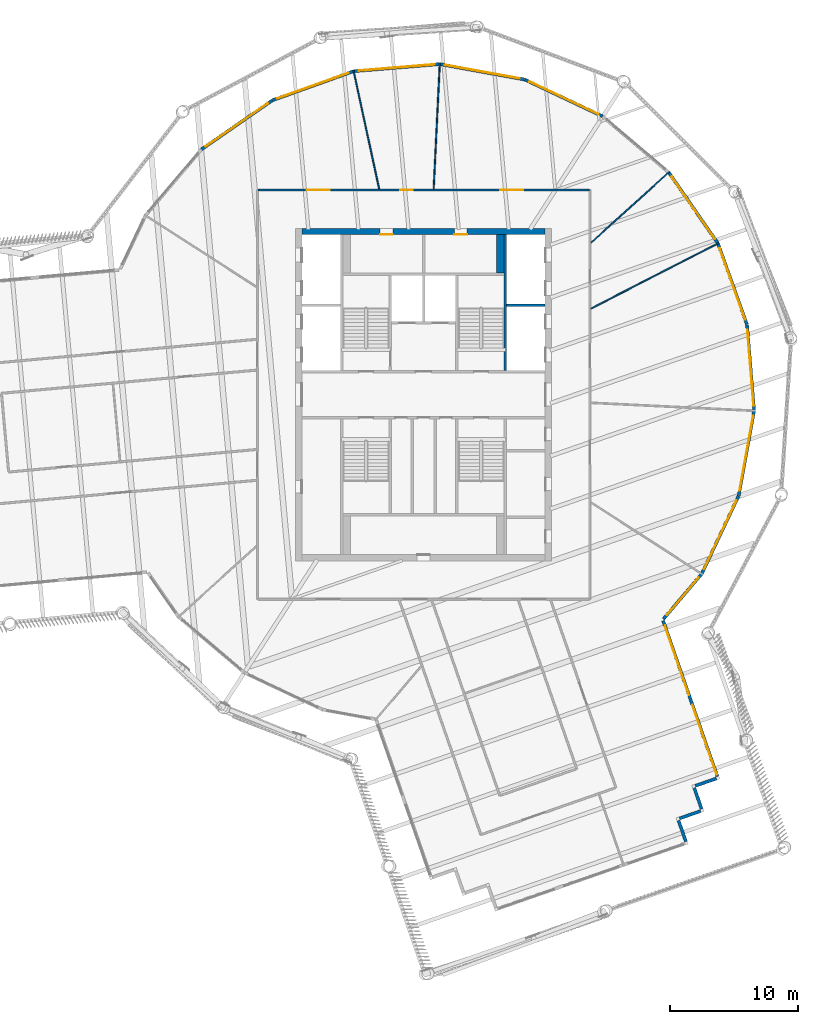
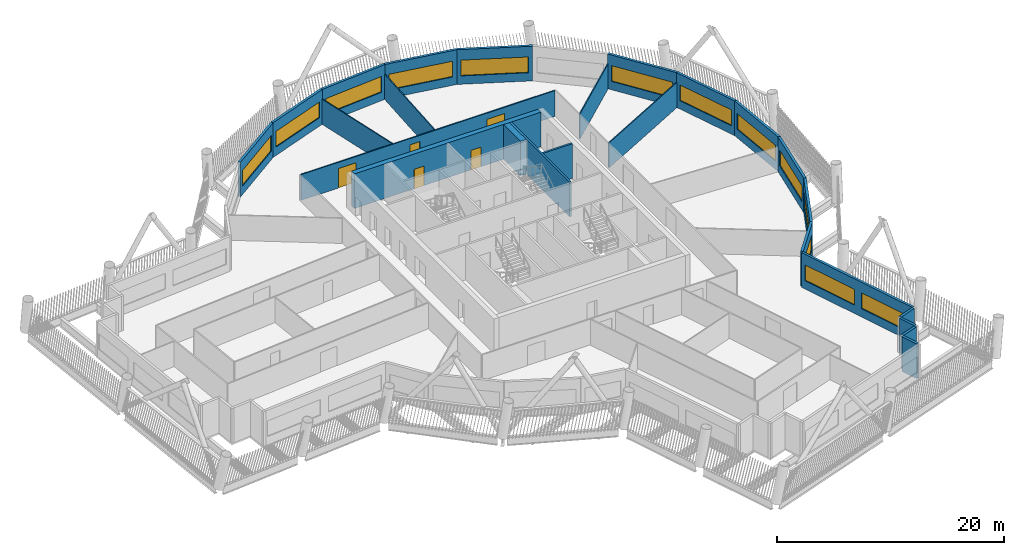
# One storey, part 6 of 23: 25 walls, 13 windows, 5 doors, 18 openings.
"""IFC4 building model written with IfcOpenShell, lengths in metres."""

from ifc_helpers import new_model, si_unit, direction, frame, frame_2d, origin, place, context, subcontext, project, spatial, rectangle, extrude, material, layer, layer_set, type_object, element, fill, save


model = new_model("IFC4")

# Units and contexts
model_context = context("Model", 3, precision=1e-05, world=origin(), true_north=direction((0.0, 1.0)))
body_context = subcontext(model_context, "Body", "Model", "MODEL_VIEW")
ifc_project = project(units=[si_unit("LENGTHUNIT", "METRE"), si_unit("AREAUNIT", "SQUARE_METRE"), si_unit("VOLUMEUNIT", "CUBIC_METRE"), si_unit("PLANEANGLEUNIT", "RADIAN"), si_unit("MASSUNIT", "GRAM", prefix="KILO")], contexts=[model_context])

# Site, building, storey
site_placement = place(None, origin())
site = spatial("IfcSite", under=ifc_project, at=site_placement, CompositionType="ELEMENT")
building_placement = place(site_placement, origin())
building = spatial("IfcBuilding", under=site, at=building_placement, Name="Tarsis Ring Headquarters", CompositionType="ELEMENT")
storey_placement = place(building_placement, frame((0.0, 0.0, 308.0)))
storey = spatial("IfcBuildingStorey", under=building, at=storey_placement, Name="L72", CompositionType="ELEMENT", Elevation=308.0)

# Wall, openings, doors
ifc_material_1 = material(Name="Concrete C50/60", Category="concrete")
ifc_layer_1 = layer(ifc_material_1, 0.5)
ifc_layer_set_1 = layer_set([ifc_layer_1], Name="Core wall 500 C50/60")
wall_type_1 = type_object("IfcWallType", Name="Core wall 500 C50/60", PredefinedType="SHEAR", material=ifc_layer_set_1)
wall_1_placement = place(storey_placement, frame((-9.5, 12.75, 0.0), z_axis=(0.0, 0.0, 1.0), x_axis=(1.0, 0.0, 0.0)))
wall_1 = element("IfcWall", 1, at=wall_1_placement, inside=storey, type_object=wall_type_1, Name="Core wall ON", PredefinedType="SHEAR", context=body_context, shape_type="SweptSolid", body=[
    extrude(rectangle(XDim=19.0, YDim=0.5, at=frame_2d((9.5, 0.0))), origin(), (0.0, 0.0, 1.0), 3.739990234375),
])
opening_1_placement = place(wall_1_placement, frame((6.10009765625, 0.0, 0.0)))
opening_1 = element("IfcOpeningElement", 2, at=opening_1_placement, cuts=wall_1, Name="Opening L72-C15", PredefinedType="OPENING", context=body_context, shape_type="SweptSolid", body=[
    extrude(rectangle(XDim=1.0, YDim=2.10009765625, at=frame_2d((0.5, 1.050048828125))), frame((0.0, 0.260009765625, 0.0), z_axis=(0.0, -1.0, 0.0), x_axis=(1.0, 0.0, 0.0)), (0.0, 0.0, 1.0), 0.52001953125),
])
opening_2_placement = place(wall_1_placement, frame((11.89990234375, 0.0, 0.0)))
opening_2 = element("IfcOpeningElement", 3, at=opening_2_placement, cuts=wall_1, Name="Opening L72-C16", PredefinedType="OPENING", context=body_context, shape_type="SweptSolid", body=[
    extrude(rectangle(XDim=1.0, YDim=2.10009765625, at=frame_2d((0.5, 1.050048828125))), frame((0.0, 0.260009765625, 0.0), z_axis=(0.0, -1.0, 0.0), x_axis=(1.0, 0.0, 0.0)), (0.0, 0.0, 1.0), 0.52001953125),
])
ifc_material_2 = material(Name="Steel S355", Category="steel")
door_type_1 = type_object("IfcDoorType", Name="Core room door 1000x2100", OperationType="SINGLE_SWING_LEFT", PredefinedType="DOOR", material=ifc_material_2)
door_1_placement = place(opening_1_placement, origin())
door_1 = element("IfcDoor", 4, at=door_1_placement, inside=storey, type_object=door_type_1, Name="Core room door L72", OperationType="SINGLE_SWING_LEFT", OverallHeight=2.10009765625, OverallWidth=1.0, PredefinedType="DOOR", context=body_context, shape_type="SweptSolid", body=[
    extrude(rectangle(XDim=1.0, YDim=2.10009765625, at=frame_2d((0.5, 1.050048828125))), frame((0.0, -0.2001953125, 0.0), z_axis=(0.0, -1.0, 0.0), x_axis=(1.0, 0.0, 0.0)), (0.0, 0.0, 1.0), 0.050048828125),
])
fill(opening_1, door_1)
door_2_placement = place(opening_2_placement, origin())
door_2 = element("IfcDoor", 5, at=door_2_placement, inside=storey, type_object=door_type_1, Name="Core room door L72", OperationType="SINGLE_SWING_LEFT", OverallHeight=2.10009765625, OverallWidth=1.0, PredefinedType="DOOR", context=body_context, shape_type="SweptSolid", body=[
    extrude(rectangle(XDim=1.0, YDim=2.10009765625, at=frame_2d((0.5, 1.050048828125))), frame((0.0, -0.2001953125, 0.0), z_axis=(0.0, -1.0, 0.0), x_axis=(1.0, 0.0, 0.0)), (0.0, 0.0, 1.0), 0.050048828125),
])
fill(opening_2, door_2)

# Walls
ifc_material_3 = material(Name="Gypsum board on steel studs", Category="steel")
ifc_layer_2 = layer(ifc_material_3, 0.10009765625)
ifc_layer_set_2 = layer_set([ifc_layer_2], Name="FL partition 100 unrated")
wall_type_2 = type_object("IfcWallType", Name="FL partition 100 unrated", PredefinedType="PARTITIONING", material=ifc_layer_set_2)
wall_2_placement = place(storey_placement, frame((13.080078125, 6.72216796875, 0.0), z_axis=(0.0, 0.0, 1.0), x_axis=(0.889416224364, 0.457098216839, 0.0)))
element("IfcWall", 6, at=wall_2_placement, inside=storey, type_object=wall_type_2, Name="Partition PW3", PredefinedType="PARTITIONING", context=body_context, shape_type="SweptSolid", body=[
    extrude(rectangle(XDim=11.241455078125, YDim=0.10009765625, at=frame_2d((5.62060546875, 0.0))), origin(), (0.0, 0.0, 1.0), 2.699951171875),
])
wall_3_placement = place(storey_placement, frame((0.785888671875, 16.06982421875, 0.0), z_axis=(0.0, 0.0, 1.0), x_axis=(0.048858127199, 0.998805728561, 0.0)))
element("IfcWall", 7, at=wall_3_placement, inside=storey, type_object=wall_type_2, Name="Partition PW3", PredefinedType="PARTITIONING", context=body_context, shape_type="SweptSolid", body=[
    extrude(rectangle(XDim=9.85888671875, YDim=0.10009765625, at=frame_2d((4.929443359375, 0.0))), origin(), (0.0, 0.0, 1.0), 2.699951171875),
])
wall_4_placement = place(storey_placement, frame((-5.4833984375, 25.36181640625, 0.0), z_axis=(0.0, 0.0, 1.0), x_axis=(0.211320858937, -0.977416745599, 0.0)))
element("IfcWall", 8, at=wall_4_placement, inside=storey, type_object=wall_type_2, Name="Partition PW3", PredefinedType="PARTITIONING", context=body_context, shape_type="SweptSolid", body=[
    extrude(rectangle(XDim=9.50830078125, YDim=0.10009765625, at=frame_2d((4.754150390625, 0.0))), origin(), (0.0, 0.0, 1.0), 2.699951171875),
])
wall_5_placement = place(storey_placement, frame((13.0888671875, 11.868408203125, 0.0), z_axis=(0.0, 0.0, 1.0), x_axis=(0.740821402099, 0.671702054628, 0.0)))
element("IfcWall", 9, at=wall_5_placement, inside=storey, type_object=wall_type_2, Name="Partition PW3", PredefinedType="PARTITIONING", context=body_context, shape_type="SweptSolid", body=[
    extrude(rectangle(XDim=8.279296875, YDim=0.10009765625, at=frame_2d((4.1396484375, 0.0))), origin(), (0.0, 0.0, 1.0), 2.699951171875),
])

# Wall, openings, doors
ifc_layer_3 = layer(ifc_material_3, 0.125)
ifc_layer_set_3 = layer_set([ifc_layer_3], Name="FL partition 125 EI 60 H2770")
wall_type_3 = type_object("IfcWallType", Name="FL partition 125 EI 60 H2770", PredefinedType="PARTITIONING", material=ifc_layer_set_3)
wall_6_placement = place(storey_placement, frame((-12.93994140625, 16.0, 0.0), z_axis=(0.0, 0.0, 1.0), x_axis=(1.0, 0.0, 0.0)))
wall_6 = element("IfcWall", 10, at=wall_6_placement, inside=storey, type_object=wall_type_3, Name="Partition PW1", PredefinedType="PARTITIONING", context=body_context, shape_type="SweptSolid", body=[
    extrude(rectangle(XDim=25.8798828125, YDim=0.125, at=frame_2d((12.93994140625, 0.0))), origin(), (0.0, 0.0, 1.0), 2.77001953125),
])
opening_3_placement = place(wall_6_placement, frame((3.810302734375, 0.0, 0.0)))
opening_3 = element("IfcOpeningElement", 11, at=opening_3_placement, cuts=wall_6, Name="Opening D72.03", PredefinedType="OPENING", context=body_context, shape_type="SweptSolid", body=[
    extrude(rectangle(XDim=1.800048828125, YDim=2.10009765625, at=frame_2d((0.89990234375, 1.050048828125))), frame((0.0, 0.072509765625, 0.0), z_axis=(0.0, -1.0, 0.0), x_axis=(1.0, 0.0, 0.0)), (0.0, 0.0, 1.0), 0.14501953125),
])
opening_4_placement = place(wall_6_placement, frame((11.1015625, 0.0, 0.0)))
opening_4 = element("IfcOpeningElement", 12, at=opening_4_placement, cuts=wall_6, Name="Opening D72.04", PredefinedType="OPENING", context=body_context, shape_type="SweptSolid", body=[
    extrude(rectangle(XDim=1.0, YDim=2.10009765625, at=frame_2d((0.5, 1.050048828125))), frame((0.0, 0.072509765625, 0.0), z_axis=(0.0, -1.0, 0.0), x_axis=(1.0, 0.0, 0.0)), (0.0, 0.0, 1.0), 0.14501953125),
])
opening_5_placement = place(wall_6_placement, frame((18.931396484375, 0.0, 0.0)))
opening_5 = element("IfcOpeningElement", 13, at=opening_5_placement, cuts=wall_6, Name="Opening D72.05", PredefinedType="OPENING", context=body_context, shape_type="SweptSolid", body=[
    extrude(rectangle(XDim=1.800048828125, YDim=2.10009765625, at=frame_2d((0.89990234375, 1.050048828125))), frame((0.0, 0.072509765625, 0.0), z_axis=(0.0, -1.0, 0.0), x_axis=(1.0, 0.0, 0.0)), (0.0, 0.0, 1.0), 0.14501953125),
])
ifc_material_4 = material(Name="Fire-rated timber door leaf in steel frame", Category="steel")
door_type_2 = type_object("IfcDoorType", Name="FL door FD60-1000", OperationType="NOTDEFINED", PredefinedType="DOOR", material=ifc_material_4)
door_3_placement = place(opening_4_placement, origin())
door_3 = element("IfcDoor", 14, at=door_3_placement, inside=storey, type_object=door_type_2, Name="Door D72.04", OperationType="SINGLE_SWING_RIGHT", OverallHeight=2.10009765625, OverallWidth=1.0, PredefinedType="DOOR", context=body_context, shape_type="SweptSolid", body=[
    extrude(rectangle(XDim=1.0, YDim=2.10009765625, at=frame_2d((0.5, 1.050048828125))), frame((0.0, 0.02490234375, 0.0), z_axis=(0.0, -1.0, 0.0), x_axis=(1.0, 0.0, 0.0)), (0.0, 0.0, 1.0), 0.050048828125),
])
fill(opening_4, door_3)
door_type_3 = type_object("IfcDoorType", Name="FL door FD60-1800", OperationType="DOUBLE_DOOR_SINGLE_SWING", PredefinedType="DOOR", material=ifc_material_4)
door_4_placement = place(opening_3_placement, origin())
door_4 = element("IfcDoor", 15, at=door_4_placement, inside=storey, type_object=door_type_3, Name="Door D72.03", OperationType="DOUBLE_DOOR_SINGLE_SWING", OverallHeight=2.10009765625, OverallWidth=1.800048828125, PredefinedType="DOOR", context=body_context, shape_type="SweptSolid", body=[
    extrude(rectangle(XDim=1.800048828125, YDim=2.10009765625, at=frame_2d((0.89990234375, 1.050048828125))), frame((0.0, 0.02490234375, 0.0), z_axis=(0.0, -1.0, 0.0), x_axis=(1.0, 0.0, 0.0)), (0.0, 0.0, 1.0), 0.050048828125),
])
fill(opening_3, door_4)
door_5_placement = place(opening_5_placement, origin())
door_5 = element("IfcDoor", 16, at=door_5_placement, inside=storey, type_object=door_type_3, Name="Door D72.05", OperationType="DOUBLE_DOOR_SINGLE_SWING", OverallHeight=2.10009765625, OverallWidth=1.800048828125, PredefinedType="DOOR", context=body_context, shape_type="SweptSolid", body=[
    extrude(rectangle(XDim=1.800048828125, YDim=2.10009765625, at=frame_2d((0.89990234375, 1.050048828125))), frame((0.0, 0.02490234375, 0.0), z_axis=(0.0, -1.0, 0.0), x_axis=(1.0, 0.0, 0.0)), (0.0, 0.0, 1.0), 0.050048828125),
])
fill(opening_5, door_5)

# Walls
ifc_material_5 = material(Name="Terracotta clad insulated panel wall", Category="masonry")
ifc_layer_4 = layer(ifc_material_5, 0.25)
ifc_layer_set_4 = layer_set([ifc_layer_4], Name="Facade wall terracotta panel 250")
wall_type_4 = type_object("IfcWallType", Name="Facade wall terracotta panel 250", PredefinedType="STANDARD", material=ifc_layer_set_4)
for number, where, z_axis, x_axis, name in (
    (17, (20.509521484375, -34.94921875, 0.0), (0.0, 0.0, 1.0), (-0.328920957203, 0.944357455582, 0.0), "External wall L72-12"),
    (18, (20.0107421875, -33.13720703125, 0.0), (0.0, 0.0, 1.0), (0.94440077808, 0.328796548587, 0.0), "External wall L72-13"),
):
    element("IfcWall", number, at=place(storey_placement, frame(where, z_axis=z_axis, x_axis=x_axis)), inside=storey, type_object=wall_type_4, Name=name, PredefinedType="STANDARD", context=body_context, shape_type="SweptSolid", body=[
        extrude(rectangle(XDim=1.750244140625, YDim=0.25, at=frame_2d((0.875, 0.0))), origin(), (0.0, 0.0, 1.0), 3.739990234375),
    ])
for number, where, z_axis, x_axis, name in (
    (19, (21.740478515625, -32.402587890625, 0.0), (0.0, 0.0, 1.0), (-0.328964291269, 0.944342361154, 0.0), "External wall L72-14"),
    (20, (21.241943359375, -30.5908203125, 0.0), (0.0, 0.0, 1.0), (0.944385694376, 0.328839870238, 0.0), "External wall L72-15"),
):
    element("IfcWall", number, at=place(storey_placement, frame(where, z_axis=z_axis, x_axis=x_axis)), inside=storey, type_object=wall_type_4, Name=name, PredefinedType="STANDARD", context=body_context, shape_type="SweptSolid", body=[
        extrude(rectangle(XDim=1.75, YDim=0.25, at=frame_2d((0.875, 0.0))), origin(), (0.0, 0.0, 1.0), 3.739990234375),
    ])

# Wall, openings, windows
wall_7_placement = place(storey_placement, frame((22.971435546875, -29.856201171875, 0.0), z_axis=(0.0, 0.0, 1.0), x_axis=(-0.328853825294, 0.944380835039, 0.0)))
wall_7 = element("IfcWall", 21, at=wall_7_placement, inside=storey, type_object=wall_type_4, Name="External wall L72-16", PredefinedType="STANDARD", context=body_context, shape_type="SweptSolid", body=[
    extrude(rectangle(XDim=12.9013671875, YDim=0.25, at=frame_2d((6.45068359375, 0.0))), origin(), (0.0, 0.0, 1.0), 3.739990234375),
])
opening_6_placement = place(wall_7_placement, frame((0.162841796875, 0.0, 0.89990234375)))
opening_6 = element("IfcOpeningElement", 22, at=opening_6_placement, cuts=wall_7, Name="Opening WN06", PredefinedType="OPENING", context=body_context, shape_type="SweptSolid", body=[
    extrude(rectangle(XDim=5.75, YDim=1.699951171875, at=frame_2d((2.875, 0.85009765625))), frame((0.0, 0.135009765625, 0.0), z_axis=(0.0, -1.0, 0.0), x_axis=(1.0, 0.0, 0.0)), (0.0, 0.0, 1.0), 0.27001953125),
])
opening_7_placement = place(wall_7_placement, frame((6.738525390625, 0.0, 0.89990234375)))
opening_7 = element("IfcOpeningElement", 23, at=opening_7_placement, cuts=wall_7, Name="Opening WN06", PredefinedType="OPENING", context=body_context, shape_type="SweptSolid", body=[
    extrude(rectangle(XDim=5.75, YDim=1.699951171875, at=frame_2d((2.875, 0.85009765625))), frame((0.0, 0.135009765625, 0.0), z_axis=(0.0, -1.0, 0.0), x_axis=(1.0, 0.0, 0.0)), (0.0, 0.0, 1.0), 0.27001953125),
])
ifc_material_6 = material(Name="Aluminium framed double glazing", Category="aluminium")
window_type_1 = type_object("IfcWindowType", Name="Facade window 5750 x 1700", PartitioningType="SINGLE_PANEL", PredefinedType="WINDOW", material=ifc_material_6)
window_1_placement = place(opening_6_placement, origin())
window_1 = element("IfcWindow", 24, at=window_1_placement, inside=storey, type_object=window_type_1, Name="Window L72-16.1", OverallHeight=1.699951171875, OverallWidth=5.75, PartitioningType="SINGLE_PANEL", PredefinedType="WINDOW", context=body_context, shape_type="SweptSolid", body=[
    extrude(rectangle(XDim=5.75, YDim=1.699951171875, at=frame_2d((2.875, 0.85009765625))), frame((0.0, 0.030029296875, 0.0), z_axis=(0.0, -1.0, 0.0), x_axis=(1.0, 0.0, 0.0)), (0.0, 0.0, 1.0), 0.06005859375),
])
fill(opening_6, window_1)
window_2_placement = place(opening_7_placement, origin())
window_2 = element("IfcWindow", 25, at=window_2_placement, inside=storey, type_object=window_type_1, Name="Window L72-16.2", OverallHeight=1.699951171875, OverallWidth=5.75, PartitioningType="SINGLE_PANEL", PredefinedType="WINDOW", context=body_context, shape_type="SweptSolid", body=[
    extrude(rectangle(XDim=5.75, YDim=1.699951171875, at=frame_2d((2.875, 0.85009765625))), frame((0.0, 0.030029296875, 0.0), z_axis=(0.0, -1.0, 0.0), x_axis=(1.0, 0.0, 0.0)), (0.0, 0.0, 1.0), 0.06005859375),
])
fill(opening_7, window_2)

# Wall, opening, window
wall_8_placement = place(storey_placement, frame((18.75146484375, -17.550537109375, 0.0), z_axis=(0.0, 0.0, 1.0), x_axis=(0.646754792128, 0.762697999774, 0.0)))
wall_8 = element("IfcWall", 26, at=wall_8_placement, inside=storey, type_object=wall_type_4, Name="External wall L72-17", PredefinedType="STANDARD", context=body_context, shape_type="SweptSolid", body=[
    extrude(rectangle(XDim=4.61767578125, YDim=0.25, at=frame_2d((2.308837890625, 0.0))), origin(), (0.0, 0.0, 1.0), 3.739990234375),
])
opening_8_placement = place(wall_8_placement, frame((0.400390625, 0.0, 0.89990234375)))
opening_8 = element("IfcOpeningElement", 27, at=opening_8_placement, cuts=wall_8, Name="Opening WN02", PredefinedType="OPENING", context=body_context, shape_type="SweptSolid", body=[
    extrude(rectangle(XDim=3.85009765625, YDim=1.699951171875, at=frame_2d((1.925048828125, 0.85009765625))), frame((0.0, 0.135009765625, 0.0), z_axis=(0.0, -1.0, 0.0), x_axis=(1.0, 0.0, 0.0)), (0.0, 0.0, 1.0), 0.27001953125),
])
window_type_2 = type_object("IfcWindowType", Name="Facade window 3850 x 1700", PartitioningType="SINGLE_PANEL", PredefinedType="WINDOW", material=ifc_material_6)
window_3_placement = place(opening_8_placement, origin())
window_3 = element("IfcWindow", 28, at=window_3_placement, inside=storey, type_object=window_type_2, Name="Window L72-17.1", OverallHeight=1.699951171875, OverallWidth=3.85009765625, PartitioningType="SINGLE_PANEL", PredefinedType="WINDOW", context=body_context, shape_type="SweptSolid", body=[
    extrude(rectangle(XDim=3.85009765625, YDim=1.699951171875, at=frame_2d((1.925048828125, 0.85009765625))), frame((0.0, 0.030029296875, 0.0), z_axis=(0.0, -1.0, 0.0), x_axis=(1.0, 0.0, 0.0)), (0.0, 0.0, 1.0), 0.06005859375),
])
fill(opening_8, window_3)

wall_9_placement = place(storey_placement, frame((21.755859375, -14.001220703125, 0.0), z_axis=(0.0, 0.0, 1.0), x_axis=(0.427330496422, 0.904095485459, 0.0)))
wall_9 = element("IfcWall", 29, at=wall_9_placement, inside=storey, type_object=wall_type_4, Name="External wall L72-18", PredefinedType="STANDARD", context=body_context, shape_type="SweptSolid", body=[
    extrude(rectangle(XDim=6.721435546875, YDim=0.25, at=frame_2d((3.36083984375, 0.0))), origin(), (0.0, 0.0, 1.0), 3.739990234375),
])
opening_9_placement = place(wall_9_placement, frame((0.3857421875, 0.0, 0.89990234375)))
opening_9 = element("IfcOpeningElement", 30, at=opening_9_placement, cuts=wall_9, Name="Opening WN07", PredefinedType="OPENING", context=body_context, shape_type="SweptSolid", body=[
    extrude(rectangle(XDim=5.949951171875, YDim=1.699951171875, at=frame_2d((2.97509765625, 0.85009765625))), frame((0.0, 0.135009765625, 0.0), z_axis=(0.0, -1.0, 0.0), x_axis=(1.0, 0.0, 0.0)), (0.0, 0.0, 1.0), 0.27001953125),
])
window_type_3 = type_object("IfcWindowType", Name="Facade window 5950 x 1700", PartitioningType="SINGLE_PANEL", PredefinedType="WINDOW", material=ifc_material_6)
window_4_placement = place(opening_9_placement, origin())
window_4 = element("IfcWindow", 31, at=window_4_placement, inside=storey, type_object=window_type_3, Name="Window L72-18.1", OverallHeight=1.699951171875, OverallWidth=5.949951171875, PartitioningType="SINGLE_PANEL", PredefinedType="WINDOW", context=body_context, shape_type="SweptSolid", body=[
    extrude(rectangle(XDim=5.949951171875, YDim=1.699951171875, at=frame_2d((2.97509765625, 0.85009765625))), frame((0.0, 0.030029296875, 0.0), z_axis=(0.0, -1.0, 0.0), x_axis=(1.0, 0.0, 0.0)), (0.0, 0.0, 1.0), 0.06005859375),
])
fill(opening_9, window_4)

wall_10_placement = place(storey_placement, frame((24.63818359375, -7.893310546875, 0.0), z_axis=(0.0, 0.0, 1.0), x_axis=(0.1788119225, 0.983883273753, 0.0)))
wall_10 = element("IfcWall", 32, at=wall_10_placement, inside=storey, type_object=wall_type_4, Name="External wall L72-19", PredefinedType="STANDARD", context=body_context, shape_type="SweptSolid", body=[
    extrude(rectangle(XDim=6.7216796875, YDim=0.25, at=frame_2d((3.36083984375, 0.0))), origin(), (0.0, 0.0, 1.0), 3.739990234375),
])
opening_10_placement = place(wall_10_placement, frame((0.3857421875, 0.0, 0.89990234375)))
opening_10 = element("IfcOpeningElement", 33, at=opening_10_placement, cuts=wall_10, Name="Opening WN07", PredefinedType="OPENING", context=body_context, shape_type="SweptSolid", body=[
    extrude(rectangle(XDim=5.949951171875, YDim=1.699951171875, at=frame_2d((2.97509765625, 0.85009765625))), frame((0.0, 0.135009765625, 0.0), z_axis=(0.0, -1.0, 0.0), x_axis=(1.0, 0.0, 0.0)), (0.0, 0.0, 1.0), 0.27001953125),
])
window_5_placement = place(opening_10_placement, origin())
window_5 = element("IfcWindow", 34, at=window_5_placement, inside=storey, type_object=window_type_3, Name="Window L72-19.1", OverallHeight=1.699951171875, OverallWidth=5.949951171875, PartitioningType="SINGLE_PANEL", PredefinedType="WINDOW", context=body_context, shape_type="SweptSolid", body=[
    extrude(rectangle(XDim=5.949951171875, YDim=1.699951171875, at=frame_2d((2.97509765625, 0.85009765625))), frame((0.0, 0.030029296875, 0.0), z_axis=(0.0, -1.0, 0.0), x_axis=(1.0, 0.0, 0.0)), (0.0, 0.0, 1.0), 0.06005859375),
])
fill(opening_10, window_5)

wall_11_placement = place(storey_placement, frame((25.841796875, -1.24755859375, 0.0), z_axis=(0.0, 0.0, 1.0), x_axis=(-0.081942244677, 0.996637079652, 0.0)))
wall_11 = element("IfcWall", 35, at=wall_11_placement, inside=storey, type_object=wall_type_4, Name="External wall L72-20", PredefinedType="STANDARD", context=body_context, shape_type="SweptSolid", body=[
    extrude(rectangle(XDim=6.7216796875, YDim=0.25, at=frame_2d((3.36083984375, 0.0))), origin(), (0.0, 0.0, 1.0), 3.739990234375),
])
opening_11_placement = place(wall_11_placement, frame((0.3857421875, 0.0, 0.89990234375)))
opening_11 = element("IfcOpeningElement", 36, at=opening_11_placement, cuts=wall_11, Name="Opening WN07", PredefinedType="OPENING", context=body_context, shape_type="SweptSolid", body=[
    extrude(rectangle(XDim=5.949951171875, YDim=1.699951171875, at=frame_2d((2.97509765625, 0.85009765625))), frame((0.0, 0.135009765625, 0.0), z_axis=(0.0, -1.0, 0.0), x_axis=(1.0, 0.0, 0.0)), (0.0, 0.0, 1.0), 0.27001953125),
])
window_6_placement = place(opening_11_placement, origin())
window_6 = element("IfcWindow", 37, at=window_6_placement, inside=storey, type_object=window_type_3, Name="Window L72-20.1", OverallHeight=1.699951171875, OverallWidth=5.949951171875, PartitioningType="SINGLE_PANEL", PredefinedType="WINDOW", context=body_context, shape_type="SweptSolid", body=[
    extrude(rectangle(XDim=5.949951171875, YDim=1.699951171875, at=frame_2d((2.97509765625, 0.85009765625))), frame((0.0, 0.030029296875, 0.0), z_axis=(0.0, -1.0, 0.0), x_axis=(1.0, 0.0, 0.0)), (0.0, 0.0, 1.0), 0.06005859375),
])
fill(opening_11, window_6)

wall_12_placement = place(storey_placement, frame((25.283935546875, 5.4833984375, 0.0), z_axis=(0.0, 0.0, 1.0), x_axis=(-0.337072605082, 0.941478655575, 0.0)))
wall_12 = element("IfcWall", 38, at=wall_12_placement, inside=storey, type_object=wall_type_4, Name="External wall L72-21", PredefinedType="STANDARD", context=body_context, shape_type="SweptSolid", body=[
    extrude(rectangle(XDim=6.721435546875, YDim=0.25, at=frame_2d((3.36083984375, 0.0))), origin(), (0.0, 0.0, 1.0), 3.739990234375),
])
opening_12_placement = place(wall_12_placement, frame((0.3857421875, 0.0, 0.89990234375)))
opening_12 = element("IfcOpeningElement", 39, at=opening_12_placement, cuts=wall_12, Name="Opening WN07", PredefinedType="OPENING", context=body_context, shape_type="SweptSolid", body=[
    extrude(rectangle(XDim=5.949951171875, YDim=1.699951171875, at=frame_2d((2.97509765625, 0.85009765625))), frame((0.0, 0.135009765625, 0.0), z_axis=(0.0, -1.0, 0.0), x_axis=(1.0, 0.0, 0.0)), (0.0, 0.0, 1.0), 0.27001953125),
])
window_7_placement = place(opening_12_placement, origin())
window_7 = element("IfcWindow", 40, at=window_7_placement, inside=storey, type_object=window_type_3, Name="Window L72-21.1", OverallHeight=1.699951171875, OverallWidth=5.949951171875, PartitioningType="SINGLE_PANEL", PredefinedType="WINDOW", context=body_context, shape_type="SweptSolid", body=[
    extrude(rectangle(XDim=5.949951171875, YDim=1.699951171875, at=frame_2d((2.97509765625, 0.85009765625))), frame((0.0, 0.030029296875, 0.0), z_axis=(0.0, -1.0, 0.0), x_axis=(1.0, 0.0, 0.0)), (0.0, 0.0, 1.0), 0.06005859375),
])
fill(opening_12, window_7)

wall_13_placement = place(storey_placement, frame((23.00341796875, 11.84033203125, 0.0), z_axis=(0.0, 0.0, 1.0), x_axis=(-0.569274194332, 0.822147731048, 0.0)))
wall_13 = element("IfcWall", 41, at=wall_13_placement, inside=storey, type_object=wall_type_4, Name="External wall L72-22", PredefinedType="STANDARD", context=body_context, shape_type="SweptSolid", body=[
    extrude(rectangle(XDim=6.7216796875, YDim=0.25, at=frame_2d((3.36083984375, 0.0))), origin(), (0.0, 0.0, 1.0), 3.739990234375),
])
opening_13_placement = place(wall_13_placement, frame((0.3857421875, 0.0, 0.89990234375)))
opening_13 = element("IfcOpeningElement", 42, at=opening_13_placement, cuts=wall_13, Name="Opening WN07", PredefinedType="OPENING", context=body_context, shape_type="SweptSolid", body=[
    extrude(rectangle(XDim=5.949951171875, YDim=1.699951171875, at=frame_2d((2.97509765625, 0.85009765625))), frame((0.0, 0.135009765625, 0.0), z_axis=(0.0, -1.0, 0.0), x_axis=(1.0, 0.0, 0.0)), (0.0, 0.0, 1.0), 0.27001953125),
])
window_8_placement = place(opening_13_placement, origin())
window_8 = element("IfcWindow", 43, at=window_8_placement, inside=storey, type_object=window_type_3, Name="Window L72-22.1", OverallHeight=1.699951171875, OverallWidth=5.949951171875, PartitioningType="SINGLE_PANEL", PredefinedType="WINDOW", context=body_context, shape_type="SweptSolid", body=[
    extrude(rectangle(XDim=5.949951171875, YDim=1.699951171875, at=frame_2d((2.97509765625, 0.85009765625))), frame((0.0, 0.030029296875, 0.0), z_axis=(0.0, -1.0, 0.0), x_axis=(1.0, 0.0, 0.0)), (0.0, 0.0, 1.0), 0.06005859375),
])
fill(opening_13, window_8)

wall_14_placement = place(storey_placement, frame((14.001220703125, 21.755859375, 0.0), z_axis=(0.0, 0.0, 1.0), x_axis=(-0.904095485459, 0.427330496422, 0.0)))
wall_14 = element("IfcWall", 44, at=wall_14_placement, inside=storey, type_object=wall_type_4, Name="External wall L72-24", PredefinedType="STANDARD", context=body_context, shape_type="SweptSolid", body=[
    extrude(rectangle(XDim=6.721435546875, YDim=0.25, at=frame_2d((3.36083984375, 0.0))), origin(), (0.0, 0.0, 1.0), 3.739990234375),
])
opening_14_placement = place(wall_14_placement, frame((0.3857421875, 0.0, 0.89990234375)))
opening_14 = element("IfcOpeningElement", 45, at=opening_14_placement, cuts=wall_14, Name="Opening WN07", PredefinedType="OPENING", context=body_context, shape_type="SweptSolid", body=[
    extrude(rectangle(XDim=5.949951171875, YDim=1.699951171875, at=frame_2d((2.97509765625, 0.85009765625))), frame((0.0, 0.135009765625, 0.0), z_axis=(0.0, -1.0, 0.0), x_axis=(1.0, 0.0, 0.0)), (0.0, 0.0, 1.0), 0.27001953125),
])
window_9_placement = place(opening_14_placement, origin())
window_9 = element("IfcWindow", 46, at=window_9_placement, inside=storey, type_object=window_type_3, Name="Window L72-24.1", OverallHeight=1.699951171875, OverallWidth=5.949951171875, PartitioningType="SINGLE_PANEL", PredefinedType="WINDOW", context=body_context, shape_type="SweptSolid", body=[
    extrude(rectangle(XDim=5.949951171875, YDim=1.699951171875, at=frame_2d((2.97509765625, 0.85009765625))), frame((0.0, 0.030029296875, 0.0), z_axis=(0.0, -1.0, 0.0), x_axis=(1.0, 0.0, 0.0)), (0.0, 0.0, 1.0), 0.06005859375),
])
fill(opening_14, window_9)

wall_15_placement = place(storey_placement, frame((7.893310546875, 24.63818359375, 0.0), z_axis=(0.0, 0.0, 1.0), x_axis=(-0.983883273753, 0.1788119225, 0.0)))
wall_15 = element("IfcWall", 47, at=wall_15_placement, inside=storey, type_object=wall_type_4, Name="External wall L72-25", PredefinedType="STANDARD", context=body_context, shape_type="SweptSolid", body=[
    extrude(rectangle(XDim=6.7216796875, YDim=0.25, at=frame_2d((3.36083984375, 0.0))), origin(), (0.0, 0.0, 1.0), 3.739990234375),
])
opening_15_placement = place(wall_15_placement, frame((0.3857421875, 0.0, 0.89990234375)))
opening_15 = element("IfcOpeningElement", 48, at=opening_15_placement, cuts=wall_15, Name="Opening WN07", PredefinedType="OPENING", context=body_context, shape_type="SweptSolid", body=[
    extrude(rectangle(XDim=5.949951171875, YDim=1.699951171875, at=frame_2d((2.97509765625, 0.85009765625))), frame((0.0, 0.135009765625, 0.0), z_axis=(0.0, -1.0, 0.0), x_axis=(1.0, 0.0, 0.0)), (0.0, 0.0, 1.0), 0.27001953125),
])
window_10_placement = place(opening_15_placement, origin())
window_10 = element("IfcWindow", 49, at=window_10_placement, inside=storey, type_object=window_type_3, Name="Window L72-25.1", OverallHeight=1.699951171875, OverallWidth=5.949951171875, PartitioningType="SINGLE_PANEL", PredefinedType="WINDOW", context=body_context, shape_type="SweptSolid", body=[
    extrude(rectangle(XDim=5.949951171875, YDim=1.699951171875, at=frame_2d((2.97509765625, 0.85009765625))), frame((0.0, 0.030029296875, 0.0), z_axis=(0.0, -1.0, 0.0), x_axis=(1.0, 0.0, 0.0)), (0.0, 0.0, 1.0), 0.06005859375),
])
fill(opening_15, window_10)

wall_16_placement = place(storey_placement, frame((1.24755859375, 25.841796875, 0.0), z_axis=(0.0, 0.0, 1.0), x_axis=(-0.996637079652, -0.081942244677, 0.0)))
wall_16 = element("IfcWall", 50, at=wall_16_placement, inside=storey, type_object=wall_type_4, Name="External wall L72-26", PredefinedType="STANDARD", context=body_context, shape_type="SweptSolid", body=[
    extrude(rectangle(XDim=6.7216796875, YDim=0.25, at=frame_2d((3.36083984375, 0.0))), origin(), (0.0, 0.0, 1.0), 3.739990234375),
])
opening_16_placement = place(wall_16_placement, frame((0.3857421875, 0.0, 0.89990234375)))
opening_16 = element("IfcOpeningElement", 51, at=opening_16_placement, cuts=wall_16, Name="Opening WN07", PredefinedType="OPENING", context=body_context, shape_type="SweptSolid", body=[
    extrude(rectangle(XDim=5.949951171875, YDim=1.699951171875, at=frame_2d((2.97509765625, 0.85009765625))), frame((0.0, 0.135009765625, 0.0), z_axis=(0.0, -1.0, 0.0), x_axis=(1.0, 0.0, 0.0)), (0.0, 0.0, 1.0), 0.27001953125),
])
window_11_placement = place(opening_16_placement, origin())
window_11 = element("IfcWindow", 52, at=window_11_placement, inside=storey, type_object=window_type_3, Name="Window L72-26.1", OverallHeight=1.699951171875, OverallWidth=5.949951171875, PartitioningType="SINGLE_PANEL", PredefinedType="WINDOW", context=body_context, shape_type="SweptSolid", body=[
    extrude(rectangle(XDim=5.949951171875, YDim=1.699951171875, at=frame_2d((2.97509765625, 0.85009765625))), frame((0.0, 0.030029296875, 0.0), z_axis=(0.0, -1.0, 0.0), x_axis=(1.0, 0.0, 0.0)), (0.0, 0.0, 1.0), 0.06005859375),
])
fill(opening_16, window_11)

wall_17_placement = place(storey_placement, frame((-5.4833984375, 25.283935546875, 0.0), z_axis=(0.0, 0.0, 1.0), x_axis=(-0.941478655575, -0.337072605082, 0.0)))
wall_17 = element("IfcWall", 53, at=wall_17_placement, inside=storey, type_object=wall_type_4, Name="External wall L72-27", PredefinedType="STANDARD", context=body_context, shape_type="SweptSolid", body=[
    extrude(rectangle(XDim=6.721435546875, YDim=0.25, at=frame_2d((3.36083984375, 0.0))), origin(), (0.0, 0.0, 1.0), 3.739990234375),
])
opening_17_placement = place(wall_17_placement, frame((0.3857421875, 0.0, 0.89990234375)))
opening_17 = element("IfcOpeningElement", 54, at=opening_17_placement, cuts=wall_17, Name="Opening WN07", PredefinedType="OPENING", context=body_context, shape_type="SweptSolid", body=[
    extrude(rectangle(XDim=5.949951171875, YDim=1.699951171875, at=frame_2d((2.97509765625, 0.85009765625))), frame((0.0, 0.135009765625, 0.0), z_axis=(0.0, -1.0, 0.0), x_axis=(1.0, 0.0, 0.0)), (0.0, 0.0, 1.0), 0.27001953125),
])
window_12_placement = place(opening_17_placement, origin())
window_12 = element("IfcWindow", 55, at=window_12_placement, inside=storey, type_object=window_type_3, Name="Window L72-27.1", OverallHeight=1.699951171875, OverallWidth=5.949951171875, PartitioningType="SINGLE_PANEL", PredefinedType="WINDOW", context=body_context, shape_type="SweptSolid", body=[
    extrude(rectangle(XDim=5.949951171875, YDim=1.699951171875, at=frame_2d((2.97509765625, 0.85009765625))), frame((0.0, 0.030029296875, 0.0), z_axis=(0.0, -1.0, 0.0), x_axis=(1.0, 0.0, 0.0)), (0.0, 0.0, 1.0), 0.06005859375),
])
fill(opening_17, window_12)

wall_18_placement = place(storey_placement, frame((-11.84033203125, 23.00341796875, 0.0), z_axis=(0.0, 0.0, 1.0), x_axis=(-0.822147731048, -0.569274194332, 0.0)))
wall_18 = element("IfcWall", 56, at=wall_18_placement, inside=storey, type_object=wall_type_4, Name="External wall L72-28", PredefinedType="STANDARD", context=body_context, shape_type="SweptSolid", body=[
    extrude(rectangle(XDim=6.7216796875, YDim=0.25, at=frame_2d((3.36083984375, 0.0))), origin(), (0.0, 0.0, 1.0), 3.739990234375),
])
opening_18_placement = place(wall_18_placement, frame((0.3857421875, 0.0, 0.89990234375)))
opening_18 = element("IfcOpeningElement", 57, at=opening_18_placement, cuts=wall_18, Name="Opening WN07", PredefinedType="OPENING", context=body_context, shape_type="SweptSolid", body=[
    extrude(rectangle(XDim=5.949951171875, YDim=1.699951171875, at=frame_2d((2.97509765625, 0.85009765625))), frame((0.0, 0.135009765625, 0.0), z_axis=(0.0, -1.0, 0.0), x_axis=(1.0, 0.0, 0.0)), (0.0, 0.0, 1.0), 0.27001953125),
])
window_13_placement = place(opening_18_placement, origin())
window_13 = element("IfcWindow", 58, at=window_13_placement, inside=storey, type_object=window_type_3, Name="Window L72-28.1", OverallHeight=1.699951171875, OverallWidth=5.949951171875, PartitioningType="SINGLE_PANEL", PredefinedType="WINDOW", context=body_context, shape_type="SweptSolid", body=[
    extrude(rectangle(XDim=5.949951171875, YDim=1.699951171875, at=frame_2d((2.97509765625, 0.85009765625))), frame((0.0, 0.030029296875, 0.0), z_axis=(0.0, -1.0, 0.0), x_axis=(1.0, 0.0, 0.0)), (0.0, 0.0, 1.0), 0.06005859375),
])
fill(opening_18, window_13)

# Walls
ifc_material_7 = material(Name="Concrete C32/40", Category="concrete")
ifc_layer_5 = layer(ifc_material_7, 0.60009765625)
ifc_layer_set_5 = layer_set([ifc_layer_5], Name="Shaft end wall 600 C32/40")
wall_type_5 = type_object("IfcWallType", Name="Shaft end wall 600 C32/40", PredefinedType="SOLIDWALL", material=ifc_layer_set_5)
wall_19_placement = place(storey_placement, frame((6.0, 9.5, 0.0), z_axis=(0.0, 0.0, 1.0), x_axis=(0.0, 1.0, 0.0)))
element("IfcWall", 59, at=wall_19_placement, inside=storey, type_object=wall_type_5, Name="Core shaft wall NNE2", PredefinedType="SOLIDWALL", context=body_context, shape_type="SweptSolid", body=[
    extrude(rectangle(XDim=3.0, YDim=0.60009765625, at=frame_2d((1.5, 0.0))), origin(), (0.0, 0.0, 1.0), 3.739990234375),
])
ifc_layer_6 = layer(ifc_material_7, 0.199951171875)
ifc_layer_set_6 = layer_set([ifc_layer_6], Name="Shaft wall 200 C32/40")
wall_type_6 = type_object("IfcWallType", Name="Shaft wall 200 C32/40", PredefinedType="SOLIDWALL", material=ifc_layer_set_6)
wall_20_placement = place(storey_placement, frame((6.39990234375, 1.89990234375, 0.0), z_axis=(0.0, 0.0, 1.0), x_axis=(0.0, 1.0, 0.0)))
element("IfcWall", 60, at=wall_20_placement, inside=storey, type_object=wall_type_6, Name="Core shaft wall EB2", PredefinedType="SOLIDWALL", context=body_context, shape_type="SweptSolid", body=[
    extrude(rectangle(XDim=10.60009765625, YDim=0.199951171875, at=frame_2d((5.300048828125, 0.0))), origin(), (0.0, 0.0, 1.0), 3.739990234375),
])
wall_21_placement = place(storey_placement, frame((6.5, 7.0, 0.0), z_axis=(0.0, 0.0, 1.0), x_axis=(1.0, 0.0, 0.0)))
element("IfcWall", 61, at=wall_21_placement, inside=storey, type_object=wall_type_6, Name="Core shaft wall ED6", PredefinedType="SOLIDWALL", context=body_context, shape_type="SweptSolid", body=[
    extrude(rectangle(XDim=3.0, YDim=0.199951171875, at=frame_2d((1.5, 0.0))), origin(), (0.0, 0.0, 1.0), 3.739990234375),
])

save(model, "model.ifc")
